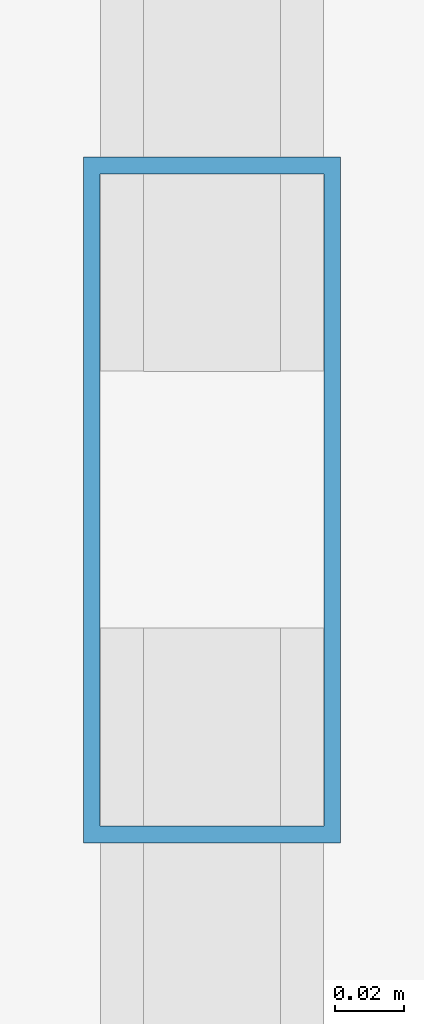
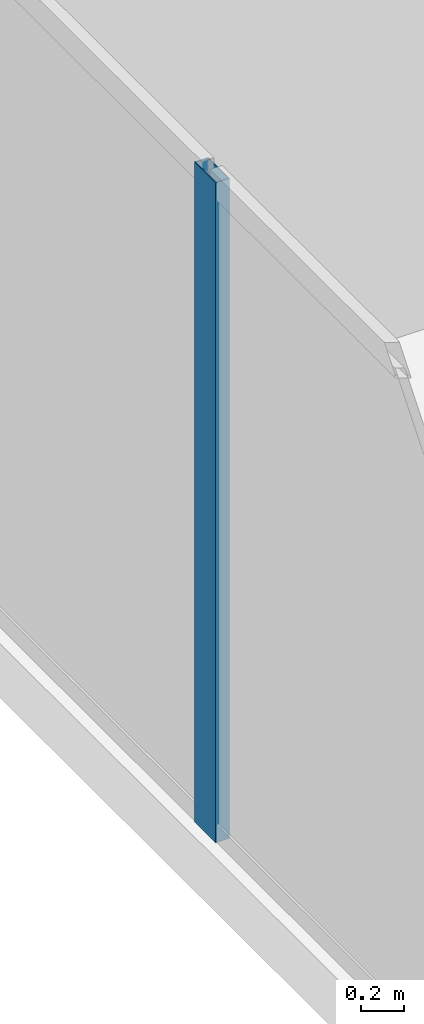
# One storey, part 8 of 30: 1 member, 1 element without a shape of its own.
"""IFC4 building model written with IfcOpenShell, lengths in metres."""

from ifc_helpers import new_model, si_unit, direction, frame, origin, origin_2d, place, context, subcontext, project, spatial, hollow_rectangle, extrude, source, transform, mapped, material, layer, layer_set, material_profile, profile_set, type_object, type_shapes, element, aggregate, save


model = new_model("IFC4")

# Units and contexts
model_context = context("Model", 3, precision=1e-05, world=origin(), true_north=direction((0.0, 1.0)))
body_context = subcontext(model_context, "Body", "Model", "MODEL_VIEW")
ifc_project = project(units=[si_unit("LENGTHUNIT", "METRE"), si_unit("AREAUNIT", "SQUARE_METRE"), si_unit("VOLUMEUNIT", "CUBIC_METRE"), si_unit("PLANEANGLEUNIT", "RADIAN"), si_unit("MASSUNIT", "GRAM", prefix="KILO")], contexts=[model_context])

# Site, building, storey
site_placement = place(None, origin())
site = spatial("IfcSite", under=ifc_project, at=site_placement, CompositionType="ELEMENT")
building_placement = place(site_placement, origin())
building = spatial("IfcBuilding", under=site, at=building_placement, Name="Haelvirn Gate Laboratories", CompositionType="ELEMENT")
storey_placement = place(building_placement, frame((0.0, 0.0, 121.5)))
storey = spatial("IfcBuildingStorey", under=building, at=storey_placement, Name="L29", CompositionType="ELEMENT", Elevation=121.5)

# Curtain wall, member
ifc_material_1 = material(Name="Anodised bronze unitised aluminium & triple low-E glass", Category="aluminium")
ifc_layer = layer(ifc_material_1, 0.179931640625, Name="CW-SYS-3")
ifc_layer_set = layer_set([ifc_layer], Name="Anodised bronze unitised aluminium & triple low-E glass")
curtain_wall_type = type_object("IfcCurtainWallType", Name="CW-SYS-3", PredefinedType="NOTDEFINED", material=ifc_layer_set)
curtain_wall_placement = place(storey_placement, origin())
curtain_wall = element("IfcCurtainWall", 1, at=curtain_wall_placement, inside=storey, type_object=curtain_wall_type, Name="L29 Unitised Curtain Wall CW-L29-P0-E17", PredefinedType="NOTDEFINED")
ifc_material_2 = material(Name="Extruded aluminium 6063-T6 (anodised bronze)", Category="aluminium")
ifc_material_profile = material_profile(ifc_material_2, hollow_rectangle(XDim=0.074951171875, YDim=0.199951171875, WallThickness=0.0048828125, at=origin_2d()), Name="CWM-200x75x5")
ifc_profile_set = profile_set([ifc_material_profile], Name="Extruded aluminium 6063-T6 (anodised bronze)")
member_type = type_object("IfcMemberType", Name="CWM-T200", PredefinedType="MULLION", material=ifc_profile_set)
shared_shape = source(origin(), body_context, "Body", "SweptSolid", [
    extrude(hollow_rectangle(XDim=0.074951171875, YDim=0.199951171875, WallThickness=0.0048828125, at=origin_2d()), origin(), (0.0, 0.0, 1.0), 3.7900390625),
])
type_shapes(member_type, [shared_shape])
member_placement = place(storey_placement, frame((2.10009765625, 30.966552734375, 0.0), z_axis=(0.0, 0.0, 1.0), x_axis=(1.0, 0.0, 0.0)))
member = element("IfcMember", 2, at=member_placement, type_object=member_type, Name="CW3 mullion 2", PredefinedType="MULLION", context=body_context, shape_type="MappedRepresentation", body=[
    mapped(shared_shape, transform((0.0, 0.0, 0.0), scale=1.0)),
])
aggregate(curtain_wall, [member])

save(model, "model.ifc")
